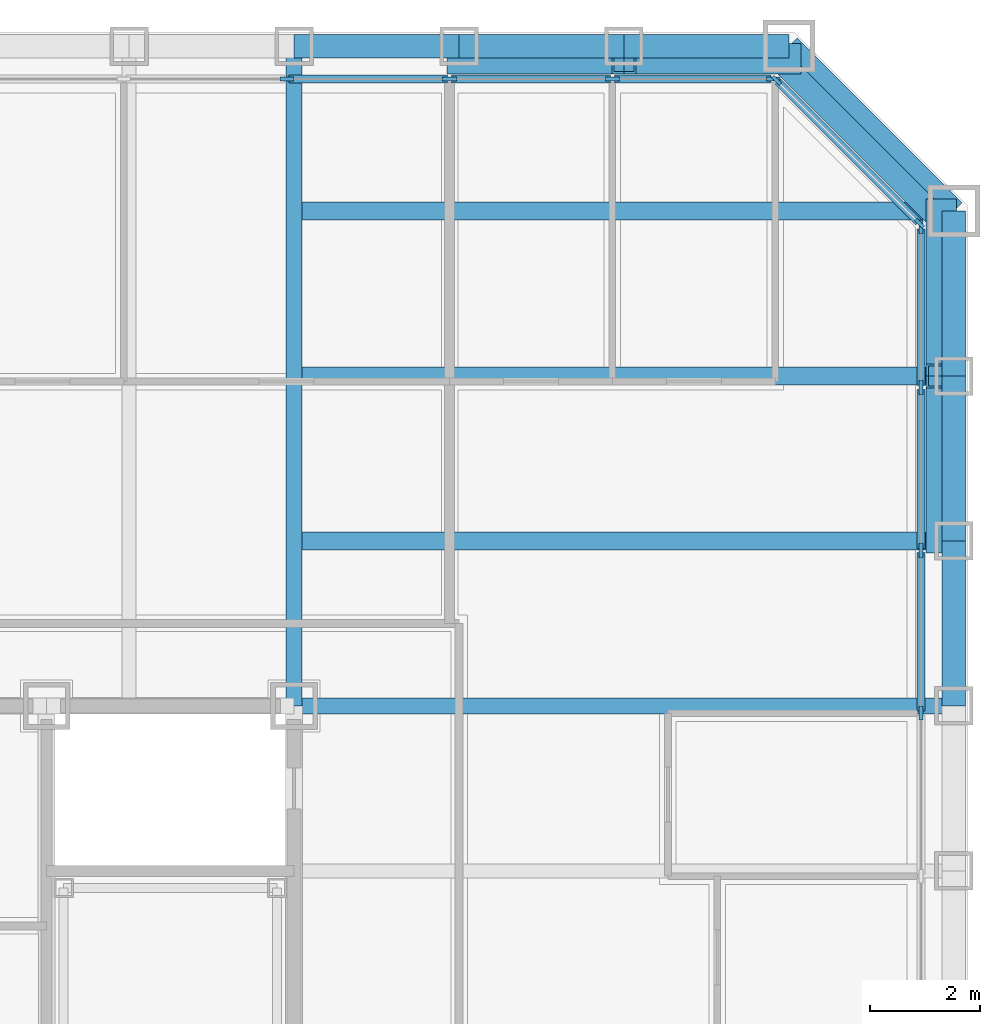
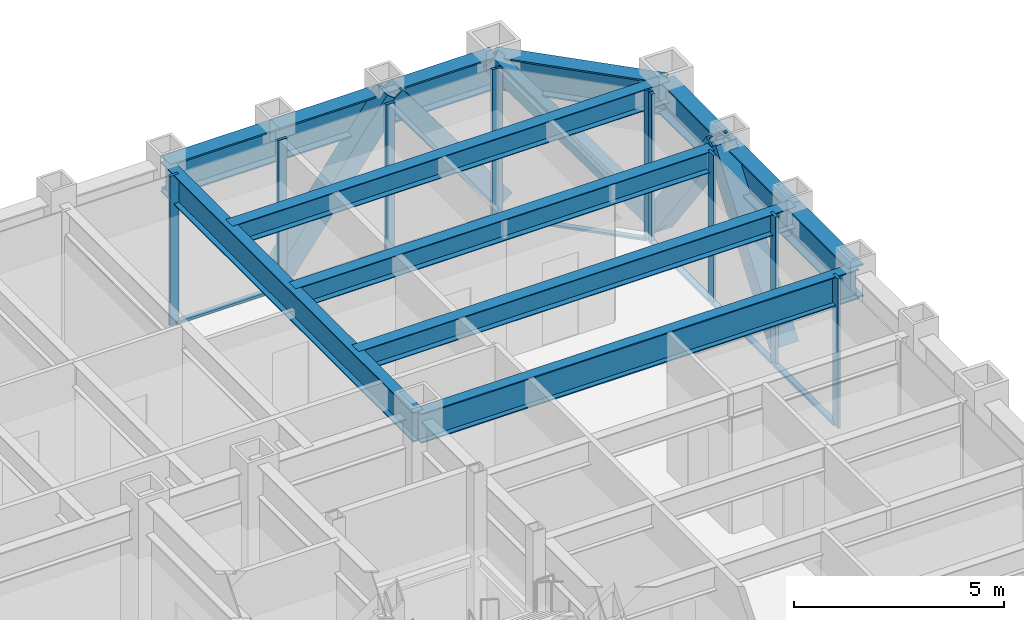
# One storey, part 6 of 16: 22 members, 12 beams, 3 elements without a shape of their own.
"""IFC4 building model written with IfcOpenShell, lengths in metres."""

from ifc_helpers import new_model, si_unit, direction, frame, origin, origin_2d, place, context, subcontext, project, spatial, rectangle, hollow_rectangle, i_section, extrude, material, layer, layer_set, material_profile, profile_set, type_object, element, aggregate, save


model = new_model("IFC4")

# Units and contexts
model_context = context("Model", 3, precision=1e-05, world=origin(), true_north=direction((0.0, 1.0)))
body_context = subcontext(model_context, "Body", "Model", "MODEL_VIEW")
ifc_project = project(units=[si_unit("LENGTHUNIT", "METRE"), si_unit("AREAUNIT", "SQUARE_METRE"), si_unit("VOLUMEUNIT", "CUBIC_METRE"), si_unit("PLANEANGLEUNIT", "RADIAN"), si_unit("MASSUNIT", "GRAM", prefix="KILO")], contexts=[model_context])

# Site, building, storey
site_placement = place(None, origin())
site = spatial("IfcSite", under=ifc_project, at=site_placement, CompositionType="ELEMENT")
building_placement = place(site_placement, origin())
building = spatial("IfcBuilding", under=site, at=building_placement, Name="Chuquiago Exchange Tower", CompositionType="ELEMENT")
storey_placement = place(building_placement, frame((0.0, 0.0, 82.800048828125)))
storey = spatial("IfcBuildingStorey", under=building, at=storey_placement, Name="L17", CompositionType="ELEMENT", Elevation=82.800048828125)

# Beams
ifc_material_1 = material(Name="Steel ASTM A992", Category="steel")
ifc_material_profile_1 = material_profile(ifc_material_1, i_section(OverallWidth=0.3251953125, OverallDepth=0.6171875, WebThickness=0.013916015625, FlangeThickness=0.021484375, at=origin_2d()), Name="W24X117")
ifc_profile_set_1 = profile_set([ifc_material_profile_1], Name="Steel ASTM A992")
beam_type_1 = type_object("IfcBeamType", Name="B5 W24X117", PredefinedType="BEAM", material=ifc_profile_set_1)
for number, where, z_axis, x_axis, name in (
    (1, (33.0, 36.0, 3.7314453125), (1.0, 0.0, 0.0), (0.0, 1.0, 0.0), "FB-L18-corner-33_36-45_36-0"),
    (2, (33.0, 39.0, 3.7314453125), (1.0, 0.0, 0.0), (0.0, 1.0, 0.0), "FB-L18-corner-33_39-45_39-0"),
    (3, (33.0, 42.0, 3.7314453125), (1.0, 0.0, 0.0), (0.0, 1.0, 0.0), "FB-L18-corner-33_42-45_42-0"),
):
    element("IfcBeam", number, at=place(storey_placement, frame(where, z_axis=z_axis, x_axis=x_axis)), inside=storey, type_object=beam_type_1, Name=name, PredefinedType="BEAM", context=body_context, shape_type="SweptSolid", body=[
        extrude(i_section(OverallWidth=0.3251953125, OverallDepth=0.6171875, WebThickness=0.013916015625, FlangeThickness=0.021484375, at=origin_2d()), origin(), (0.0, 0.0, 1.0), 12.0),
    ])

# Curtain wall, members
ifc_material_2 = material(Name="Aluminium curtain wall system", Category="aluminium")
ifc_layer_1 = layer(ifc_material_2, 0.25)
ifc_layer_set_1 = layer_set([ifc_layer_1], Name="CW1 trading floor curtain wall")
curtain_wall_type_1 = type_object("IfcCurtainWallType", Name="CW1 trading floor curtain wall", PredefinedType="NOTDEFINED", material=ifc_layer_set_1)
curtain_wall_1_placement = place(storey_placement, origin())
curtain_wall_1 = element("IfcCurtainWall", 4, at=curtain_wall_1_placement, inside=storey, type_object=curtain_wall_type_1, Name="CW1 curtain wall L17", PredefinedType="NOTDEFINED")
ifc_material_3 = material(Name="Aluminium mullion, pale anodised", Category="aluminium")
ifc_material_profile_2 = material_profile(ifc_material_3, rectangle(XDim=0.074951171875, YDim=0.25, at=origin_2d()), Name="AL 75x250")
ifc_profile_set_2 = profile_set([ifc_material_profile_2], Name="Aluminium mullion, pale anodised")
member_type_1 = type_object("IfcMemberType", Name="CW1-M mullion 75x250", PredefinedType="MULLION", material=ifc_profile_set_2)
member_1_placement = place(storey_placement, frame((44.39990234375, 32.8662109375, -0.300048828125), z_axis=(0.0, 0.0, 1.0), x_axis=(-1.0, 0.0, 0.0)))
member_1 = element("IfcMember", 5, at=member_1_placement, type_object=member_type_1, Name="CW1 mullion 11", PredefinedType="MULLION", context=body_context, shape_type="SweptSolid", body=[
    extrude(rectangle(XDim=0.074951171875, YDim=0.25, at=origin_2d()), origin(), (0.0, 0.0, 1.0), 4.340087890625),
])
member_2_placement = place(storey_placement, frame((44.39990234375, 35.827880859375, -0.300048828125), z_axis=(0.0, 0.0, 1.0), x_axis=(-1.0, 0.0, 0.0)))
member_2 = element("IfcMember", 6, at=member_2_placement, type_object=member_type_1, Name="CW1 mullion 12", PredefinedType="MULLION", context=body_context, shape_type="SweptSolid", body=[
    extrude(rectangle(XDim=0.074951171875, YDim=0.25, at=origin_2d()), origin(), (0.0, 0.0, 1.0), 4.340087890625),
])
member_3_placement = place(storey_placement, frame((44.39990234375, 38.789794921875, -0.300048828125), z_axis=(0.0, 0.0, 1.0), x_axis=(-1.0, 0.0, 0.0)))
member_3 = element("IfcMember", 7, at=member_3_placement, type_object=member_type_1, Name="CW1 mullion 13", PredefinedType="MULLION", context=body_context, shape_type="SweptSolid", body=[
    extrude(rectangle(XDim=0.074951171875, YDim=0.25, at=origin_2d()), origin(), (0.0, 0.0, 1.0), 4.340087890625),
])
member_4_placement = place(storey_placement, frame((44.39990234375, 41.714111328125, -0.300048828125), z_axis=(0.0, 0.0, 1.0), x_axis=(-1.0, 0.0, 0.0)))
member_4 = element("IfcMember", 8, at=member_4_placement, type_object=member_type_1, Name="CW1 mullion 14", PredefinedType="MULLION", context=body_context, shape_type="SweptSolid", body=[
    extrude(rectangle(XDim=0.074951171875, YDim=0.25, at=origin_2d()), origin(), (0.0, 0.0, 1.0), 4.340087890625),
])

curtain_wall_2_placement = place(storey_placement, origin())
curtain_wall_2 = element("IfcCurtainWall", 9, at=curtain_wall_2_placement, inside=storey, type_object=curtain_wall_type_1, Name="CW1 curtain wall L17", PredefinedType="NOTDEFINED")
member_5_placement = place(storey_placement, frame((41.714111328125, 44.39990234375, -0.300048828125), z_axis=(0.0, 0.0, 1.0), x_axis=(0.0, -1.0, 0.0)))
member_5 = element("IfcMember", 10, at=member_5_placement, type_object=member_type_1, Name="CW1 mullion 1", PredefinedType="MULLION", context=body_context, shape_type="SweptSolid", body=[
    extrude(rectangle(XDim=0.074951171875, YDim=0.25, at=origin_2d()), origin(), (0.0, 0.0, 1.0), 4.340087890625),
])
member_6_placement = place(storey_placement, frame((38.789794921875, 44.39990234375, -0.300048828125), z_axis=(0.0, 0.0, 1.0), x_axis=(0.0, -1.0, 0.0)))
member_6 = element("IfcMember", 11, at=member_6_placement, type_object=member_type_1, Name="CW1 mullion 2", PredefinedType="MULLION", context=body_context, shape_type="SweptSolid", body=[
    extrude(rectangle(XDim=0.074951171875, YDim=0.25, at=origin_2d()), origin(), (0.0, 0.0, 1.0), 4.340087890625),
])
member_7_placement = place(storey_placement, frame((35.827880859375, 44.39990234375, -0.300048828125), z_axis=(0.0, 0.0, 1.0), x_axis=(0.0, -1.0, 0.0)))
member_7 = element("IfcMember", 12, at=member_7_placement, type_object=member_type_1, Name="CW1 mullion 3", PredefinedType="MULLION", context=body_context, shape_type="SweptSolid", body=[
    extrude(rectangle(XDim=0.074951171875, YDim=0.25, at=origin_2d()), origin(), (0.0, 0.0, 1.0), 4.340087890625),
])
member_8_placement = place(storey_placement, frame((32.8662109375, 44.39990234375, -0.300048828125), z_axis=(0.0, 0.0, 1.0), x_axis=(0.0, -1.0, 0.0)))
member_8 = element("IfcMember", 13, at=member_8_placement, type_object=member_type_1, Name="CW1 mullion 4", PredefinedType="MULLION", context=body_context, shape_type="SweptSolid", body=[
    extrude(rectangle(XDim=0.074951171875, YDim=0.25, at=origin_2d()), origin(), (0.0, 0.0, 1.0), 4.340087890625),
])

# Member
ifc_material_4 = material(Name="Aluminium transom, pale anodised", Category="aluminium")
ifc_material_profile_3 = material_profile(ifc_material_4, rectangle(XDim=0.14990234375, YDim=0.074951171875, at=origin_2d()), Name="AL 150x75")
ifc_profile_set_3 = profile_set([ifc_material_profile_3], Name="Aluminium transom, pale anodised")
member_type_2 = type_object("IfcMemberType", Name="CW1-T transom 75x150", PredefinedType="MULLION", material=ifc_profile_set_3)
member_9_placement = place(storey_placement, frame((44.39990234375, 32.90380859375, -0.262451171875), z_axis=(0.0, 1.0, 0.0), x_axis=(-1.0, 0.0, 0.0)))
member_9 = element("IfcMember", 14, at=member_9_placement, type_object=member_type_2, Name="CW1 transom 11.1", PredefinedType="MULLION", context=body_context, shape_type="SweptSolid", body=[
    extrude(rectangle(XDim=0.14990234375, YDim=0.074951171875, at=origin_2d()), origin(), (0.0, 0.0, 1.0), 2.88671875),
])

member_10_placement = place(storey_placement, frame((44.39990234375, 35.865478515625, -0.262451171875), z_axis=(0.0, 1.0, 0.0), x_axis=(-1.0, 0.0, 0.0)))
member_10 = element("IfcMember", 15, at=member_10_placement, type_object=member_type_2, Name="CW1 transom 12.1", PredefinedType="MULLION", context=body_context, shape_type="SweptSolid", body=[
    extrude(rectangle(XDim=0.14990234375, YDim=0.074951171875, at=origin_2d()), origin(), (0.0, 0.0, 1.0), 2.88671875),
])

member_11_placement = place(storey_placement, frame((44.39990234375, 38.8271484375, -0.262451171875), z_axis=(0.0, 1.0, 0.0), x_axis=(-1.0, 0.0, 0.0)))
member_11 = element("IfcMember", 16, at=member_11_placement, type_object=member_type_2, Name="CW1 transom 13.1", PredefinedType="MULLION", context=body_context, shape_type="SweptSolid", body=[
    extrude(rectangle(XDim=0.14990234375, YDim=0.074951171875, at=origin_2d()), origin(), (0.0, 0.0, 1.0), 2.849365234375),
])

aggregate(curtain_wall_1, [member_1, member_2, member_3, member_4, member_9, member_10, member_11])

member_12_placement = place(storey_placement, frame((41.676513671875, 44.39990234375, -0.262451171875), z_axis=(-1.0, 0.0, 0.0), x_axis=(0.0, -1.0, 0.0)))
member_12 = element("IfcMember", 17, at=member_12_placement, type_object=member_type_2, Name="CW1 transom 1.1", PredefinedType="MULLION", context=body_context, shape_type="SweptSolid", body=[
    extrude(rectangle(XDim=0.14990234375, YDim=0.074951171875, at=origin_2d()), origin(), (0.0, 0.0, 1.0), 2.849365234375),
])

member_13_placement = place(storey_placement, frame((38.752197265625, 44.39990234375, -0.262451171875), z_axis=(-1.0, 0.0, 0.0), x_axis=(0.0, -1.0, 0.0)))
member_13 = element("IfcMember", 18, at=member_13_placement, type_object=member_type_2, Name="CW1 transom 2.1", PredefinedType="MULLION", context=body_context, shape_type="SweptSolid", body=[
    extrude(rectangle(XDim=0.14990234375, YDim=0.074951171875, at=origin_2d()), origin(), (0.0, 0.0, 1.0), 2.88671875),
])

member_14_placement = place(storey_placement, frame((35.79052734375, 44.39990234375, -0.262451171875), z_axis=(-1.0, 0.0, 0.0), x_axis=(0.0, -1.0, 0.0)))
member_14 = element("IfcMember", 19, at=member_14_placement, type_object=member_type_2, Name="CW1 transom 3.1", PredefinedType="MULLION", context=body_context, shape_type="SweptSolid", body=[
    extrude(rectangle(XDim=0.14990234375, YDim=0.074951171875, at=origin_2d()), origin(), (0.0, 0.0, 1.0), 2.88671875),
])

aggregate(curtain_wall_2, [member_5, member_6, member_7, member_8, member_12, member_13, member_14])

# Curtain wall, members
ifc_material_5 = material(Name="Aluminium curtain wall system", Category="aluminium")
ifc_layer_2 = layer(ifc_material_5, 0.199951171875)
ifc_layer_set_2 = layer_set([ifc_layer_2], Name="CW3 facet curtain wall")
curtain_wall_type_2 = type_object("IfcCurtainWallType", Name="CW3 facet curtain wall", PredefinedType="NOTDEFINED", material=ifc_layer_set_2)
curtain_wall_3_placement = place(storey_placement, origin())
curtain_wall_3 = element("IfcCurtainWall", 20, at=curtain_wall_3_placement, inside=storey, type_object=curtain_wall_type_2, Name="CW3 curtain wall L17", PredefinedType="NOTDEFINED")
ifc_material_6 = material(Name="Aluminium mullion, pale anodised", Category="aluminium")
ifc_material_profile_4 = material_profile(ifc_material_6, rectangle(XDim=0.06494140625, YDim=0.199951171875, at=origin_2d()), Name="AL 65x200")
ifc_profile_set_4 = profile_set([ifc_material_profile_4], Name="Aluminium mullion, pale anodised")
member_type_3 = type_object("IfcMemberType", Name="CW3-M mullion 65x200", PredefinedType="MULLION", material=ifc_profile_set_4)
member_15_placement = place(storey_placement, frame((44.376953125, 41.7744140625, -0.300048828125), z_axis=(0.0, 0.0, 1.0), x_axis=(-0.707106781187, -0.707106781187, 0.0)))
member_15 = element("IfcMember", 21, at=member_15_placement, type_object=member_type_3, Name="CW3 mullion 1", PredefinedType="MULLION", context=body_context, shape_type="SweptSolid", body=[
    extrude(rectangle(XDim=0.06494140625, YDim=0.199951171875, at=origin_2d()), origin(), (0.0, 0.0, 1.0), 4.340087890625),
])
member_16_placement = place(storey_placement, frame((41.7744140625, 44.376953125, -0.300048828125), z_axis=(0.0, 0.0, 1.0), x_axis=(-0.707106781187, -0.707106781187, 0.0)))
member_16 = element("IfcMember", 22, at=member_16_placement, type_object=member_type_3, Name="CW3 mullion 2", PredefinedType="MULLION", context=body_context, shape_type="SweptSolid", body=[
    extrude(rectangle(XDim=0.06494140625, YDim=0.199951171875, at=origin_2d()), origin(), (0.0, 0.0, 1.0), 4.340087890625),
])
ifc_material_7 = material(Name="Aluminium transom, pale anodised", Category="aluminium")
ifc_material_profile_5 = material_profile(ifc_material_7, rectangle(XDim=0.139892578125, YDim=0.06494140625, at=origin_2d()), Name="AL 140x65")
ifc_profile_set_5 = profile_set([ifc_material_profile_5], Name="Aluminium transom, pale anodised")
member_type_4 = type_object("IfcMemberType", Name="CW3-T transom 65x140", PredefinedType="MULLION", material=ifc_profile_set_5)
member_17_placement = place(storey_placement, frame((44.35400390625, 41.79736328125, -0.267578125), z_axis=(-0.707106781187, 0.707106781187, 0.0), x_axis=(-0.707106781187, -0.707106781187, 0.0)))
member_17 = element("IfcMember", 23, at=member_17_placement, type_object=member_type_4, Name="CW3 transom 1.1", PredefinedType="MULLION", context=body_context, shape_type="SweptSolid", body=[
    extrude(rectangle(XDim=0.139892578125, YDim=0.06494140625, at=origin_2d()), origin(), (0.0, 0.0, 1.0), 3.61572265625),
])
aggregate(curtain_wall_3, [member_15, member_16, member_17])

# Beams
ifc_material_8 = material(Name="Steel ASTM A992", Category="steel")
ifc_material_profile_6 = material_profile(ifc_material_8, i_section(OverallWidth=0.2919921875, OverallDepth=0.8583984375, WebThickness=0.01708984375, FlangeThickness=0.031005859375, at=origin_2d()), Name="W33X169")
ifc_profile_set_6 = profile_set([ifc_material_profile_6], Name="Steel ASTM A992")
beam_type_2 = type_object("IfcBeamType", Name="G2 W33X169", PredefinedType="BEAM", material=ifc_profile_set_6)
for number, where, z_axis, x_axis, name in (
    (24, (33.0, 33.0, 3.610595703125), (0.0, 1.0, 0.0), (-1.0, 0.0, 0.0), "FB-L18-girder-33_33-33_45-0"),
    (25, (33.0, 33.0, 3.610595703125), (1.0, 0.0, 0.0), (0.0, 1.0, 0.0), "FB-L18-girder-33_33-45_33-0"),
):
    element("IfcBeam", number, at=place(storey_placement, frame(where, z_axis=z_axis, x_axis=x_axis)), inside=storey, type_object=beam_type_2, Name=name, PredefinedType="BEAM", context=body_context, shape_type="SweptSolid", body=[
        extrude(i_section(OverallWidth=0.2919921875, OverallDepth=0.8583984375, WebThickness=0.01708984375, FlangeThickness=0.031005859375, at=origin_2d()), origin(), (0.0, 0.0, 1.0), 12.0),
    ])

# Members
ifc_material_9 = material(Name="Steel ASTM A500 Grade C", Category="steel")
ifc_material_profile_7 = material_profile(ifc_material_9, hollow_rectangle(XDim=0.406494140625, YDim=0.406494140625, WallThickness=0.0146484375, at=origin_2d()), Name="HSS16X16X5/8")
ifc_profile_set_7 = profile_set([ifc_material_profile_7], Name="Steel ASTM A500 Grade C")
member_type_5 = type_object("IfcMemberType", Name="LB4 HSS16X16X5/8", PredefinedType="BRACE", material=ifc_profile_set_7)
member_18_placement = place(storey_placement, frame((44.78662109375, 41.78662109375, 0.0), z_axis=(-0.512077265487, 0.512077265487, 0.689604051861), x_axis=(-0.707106781187, -0.707106781187, 0.0)))
element("IfcMember", 26, at=member_18_placement, inside=storey, type_object=member_type_5, Name="LB-L17-45_42-42_45", PredefinedType="BRACE", context=body_context, shape_type="SweptSolid", body=[
    extrude(hollow_rectangle(XDim=0.406494140625, YDim=0.406494140625, WallThickness=0.0146484375, at=origin_2d()), origin(), (0.0, 0.0, 1.0), 5.8583984375),
])
ifc_material_10 = material(Name="Steel ASTM A572 Grade 50", Category="steel")
ifc_material_profile_8 = material_profile(ifc_material_10, hollow_rectangle(XDim=0.550048828125, YDim=0.550048828125, WallThickness=0.044921875, at=origin_2d()), Name="BOX550X550X45")
ifc_profile_set_8 = profile_set([ifc_material_profile_8], Name="Steel ASTM A572 Grade 50")
member_type_6 = type_object("IfcMemberType", Name="MB1 BOX550X550X45", PredefinedType="BRACE", material=ifc_profile_set_8)
for number, where, z_axis, x_axis, name in (
    (27, (44.77001953125, 36.0, 0.0), (0.0, 0.596173923302, 0.802855312728), (-1.0, 0.0, 0.0), "Mega diagonal L17 E face"),
    (28, (44.77001953125, 42.0, 0.0), (0.0, -0.596173923302, 0.802855312728), (1.0, 0.0, 0.0), "Mega diagonal L17 E face"),
    (29, (42.0, 44.77001953125, 0.0), (-0.596173923302, 0.0, 0.802855312728), (0.0, -1.0, 0.0), "Mega diagonal L17 N face"),
    (30, (36.0, 44.77001953125, 0.0), (0.596173923302, 0.0, 0.802855312728), (0.0, 1.0, 0.0), "Mega diagonal L17 N face"),
):
    element("IfcMember", number, at=place(storey_placement, frame(where, z_axis=z_axis, x_axis=x_axis)), inside=storey, type_object=member_type_6, Name=name, PredefinedType="BRACE", context=body_context, shape_type="SweptSolid", body=[
        extrude(hollow_rectangle(XDim=0.550048828125, YDim=0.550048828125, WallThickness=0.044921875, at=origin_2d()), origin(), (0.0, 0.0, 1.0), 5.031982421875),
    ])

# Beams
ifc_material_11 = material(Name="Steel ASTM A992", Category="steel")
ifc_material_profile_9 = material_profile(ifc_material_11, i_section(OverallWidth=0.424072265625, OverallDepth=0.947509765625, WebThickness=0.02392578125, FlangeThickness=0.042724609375, at=origin_2d()), Name="W36X302")
ifc_profile_set_9 = profile_set([ifc_material_profile_9], Name="Steel ASTM A992")
beam_type_3 = type_object("IfcBeamType", Name="SP1 W36X302", PredefinedType="SPANDREL", material=ifc_profile_set_9)
for number, where, z_axis, x_axis, name in (
    (31, (45.0, 33.0, 3.566162109375), (0.0, 1.0, 0.0), (-1.0, 0.0, 0.0), "SPB-L18-45_33-45_36"),
    (32, (45.0, 36.0, 3.566162109375), (0.0, 1.0, 0.0), (-1.0, 0.0, 0.0), "SPB-L18-45_36-45_39"),
    (33, (45.0, 39.0, 3.566162109375), (0.0, 1.0, 0.0), (-1.0, 0.0, 0.0), "SPB-L18-45_39-45_42"),
):
    element("IfcBeam", number, at=place(storey_placement, frame(where, z_axis=z_axis, x_axis=x_axis)), inside=storey, type_object=beam_type_3, Name=name, PredefinedType="SPANDREL", context=body_context, shape_type="SweptSolid", body=[
        extrude(i_section(OverallWidth=0.424072265625, OverallDepth=0.947509765625, WebThickness=0.02392578125, FlangeThickness=0.042724609375, at=origin_2d()), origin(), (0.0, 0.0, 1.0), 3.0),
    ])
beam_placement = place(storey_placement, frame((45.0, 42.0, 3.566162109375), z_axis=(-0.707106781187, 0.707106781187, 0.0), x_axis=(-0.707106781187, -0.707106781187, 0.0)))
element("IfcBeam", 34, at=beam_placement, inside=storey, type_object=beam_type_3, Name="SPB-L18-45_42-42_45", PredefinedType="SPANDREL", context=body_context, shape_type="SweptSolid", body=[
    extrude(i_section(OverallWidth=0.424072265625, OverallDepth=0.947509765625, WebThickness=0.02392578125, FlangeThickness=0.042724609375, at=origin_2d()), origin(), (0.0, 0.0, 1.0), 4.24267578125),
])
for number, where, z_axis, x_axis, name in (
    (35, (42.0, 45.0, 3.566162109375), (-1.0, 0.0, 0.0), (0.0, -1.0, 0.0), "SPB-L18-42_45-39_45"),
    (36, (39.0, 45.0, 3.566162109375), (-1.0, 0.0, 0.0), (0.0, -1.0, 0.0), "SPB-L18-39_45-36_45"),
    (37, (36.0, 45.0, 3.566162109375), (-1.0, 0.0, 0.0), (0.0, -1.0, 0.0), "SPB-L18-36_45-33_45"),
):
    element("IfcBeam", number, at=place(storey_placement, frame(where, z_axis=z_axis, x_axis=x_axis)), inside=storey, type_object=beam_type_3, Name=name, PredefinedType="SPANDREL", context=body_context, shape_type="SweptSolid", body=[
        extrude(i_section(OverallWidth=0.424072265625, OverallDepth=0.947509765625, WebThickness=0.02392578125, FlangeThickness=0.042724609375, at=origin_2d()), origin(), (0.0, 0.0, 1.0), 3.0),
    ])

save(model, "model.ifc")
